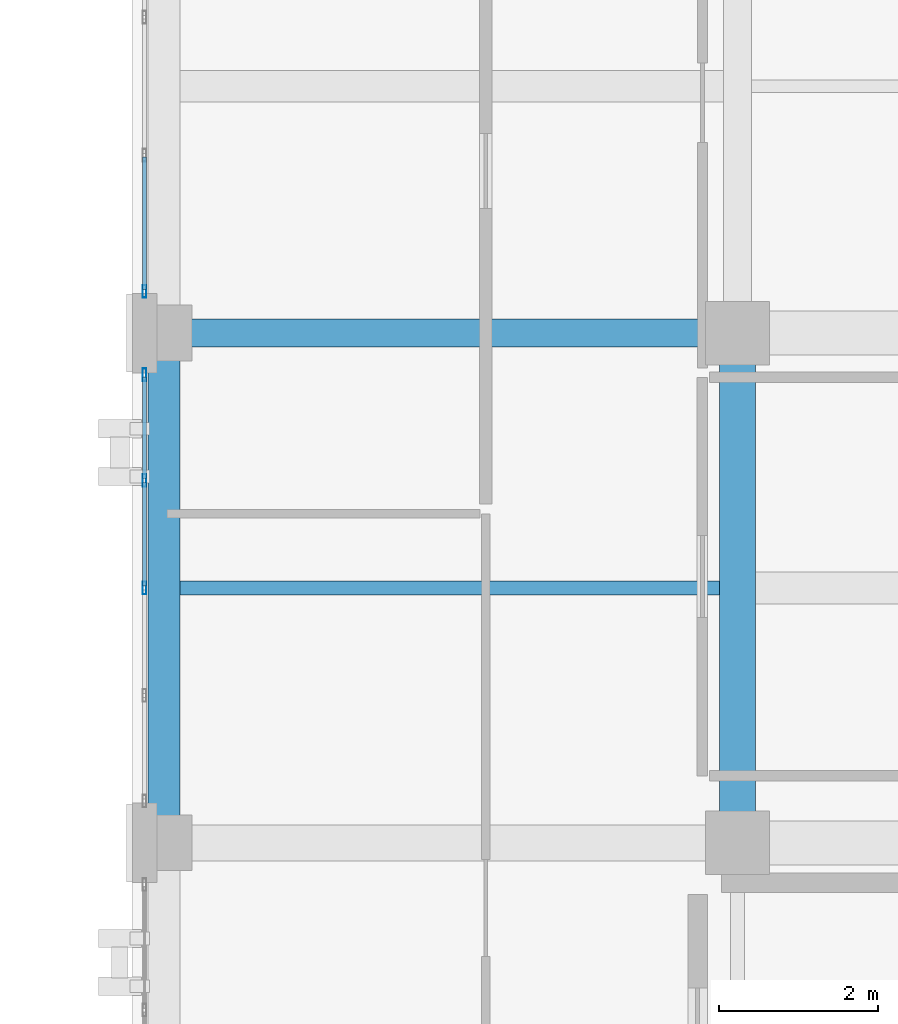
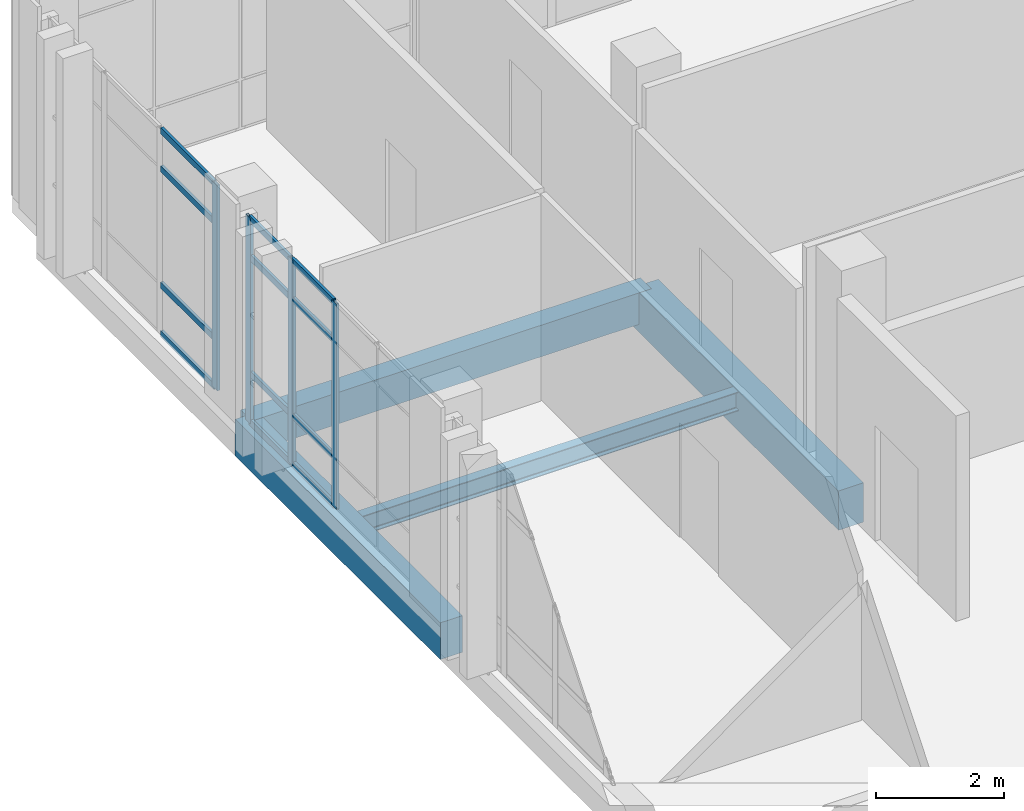
# One storey, part 101 of 193: 16 members, 4 beams, 2 elements without a shape of their own.
"""IFC4 building model written with IfcOpenShell, lengths in metres."""

from ifc_helpers import new_model, si_unit, direction, frame, origin, origin_2d, place, context, subcontext, project, spatial, rectangle, hollow_rectangle, i_section, extrude, material, layer, layer_set, material_profile, profile_set, type_object, element, aggregate, save


model = new_model("IFC4")

# Units and contexts
model_context = context("Model", 3, precision=1e-05, world=origin(), true_north=direction((0.0, 1.0)))
body_context = subcontext(model_context, "Body", "Model", "MODEL_VIEW")
ifc_project = project(units=[si_unit("LENGTHUNIT", "METRE"), si_unit("AREAUNIT", "SQUARE_METRE"), si_unit("VOLUMEUNIT", "CUBIC_METRE"), si_unit("PLANEANGLEUNIT", "RADIAN"), si_unit("MASSUNIT", "GRAM", prefix="KILO")], contexts=[model_context])

# Site, building, storey
site_placement = place(None, origin())
site = spatial("IfcSite", under=ifc_project, at=site_placement, CompositionType="ELEMENT")
building_placement = place(site_placement, origin())
building = spatial("IfcBuilding", under=site, at=building_placement, Name="Qalavern Law Courts", CompositionType="ELEMENT")
storey_placement = place(building_placement, frame((0.0, 0.0, 10.199951171875)))
storey = spatial("IfcBuildingStorey", under=building, at=storey_placement, Name="L02", CompositionType="ELEMENT", Elevation=10.199951171875)

# Curtain wall, member
ifc_material_1 = material(Name="Anodised aluminium and insulated glazing", Category="aluminium")
ifc_layer = layer(ifc_material_1, 0.172119140625)
ifc_layer_set = layer_set([ifc_layer], Name="Anodised aluminium and insulated glazing")
curtain_wall_type = type_object("IfcCurtainWallType", Name="ENV-CW-COURT", PredefinedType="USERDEFINED", material=ifc_layer_set)
curtain_wall_1_placement = place(storey_placement, origin())
curtain_wall_1 = element("IfcCurtainWall", 1, at=curtain_wall_1_placement, inside=storey, type_object=curtain_wall_type, Name="V4 unitised curtain wall L02 west 1", ObjectType="UNITISED CURTAIN WALL", PredefinedType="USERDEFINED")
ifc_material_2 = material(Name="Anodised aluminium", Category="aluminium")
ifc_material_profile_1 = material_profile(ifc_material_2, hollow_rectangle(XDim=0.048095703125, YDim=0.159912109375, WallThickness=0.00390625, at=origin_2d()), Name="ALU MULLION 48x160")
ifc_profile_set_1 = profile_set([ifc_material_profile_1], Name="Anodised aluminium")
member_type_1 = type_object("IfcMemberType", Name="ENV-CWM-48x160", PredefinedType="MULLION", material=ifc_profile_set_1)
member_1_placement = place(storey_placement, frame((84.35498046875, 79.72412109375, 0.0), z_axis=(0.0, 0.0, 1.0), x_axis=(1.0, 0.0, 0.0)))
member_1 = element("IfcMember", 2, at=member_1_placement, type_object=member_type_1, Name="CW-03 mullion 4", PredefinedType="MULLION", context=body_context, shape_type="SweptSolid", body=[
    extrude(hollow_rectangle(XDim=0.048095703125, YDim=0.159912109375, WallThickness=0.00390625, at=origin_2d()), origin(), (0.0, 0.0, 1.0), 3.9150390625),
])

# Curtain wall, members
curtain_wall_2_placement = place(storey_placement, origin())
curtain_wall_2 = element("IfcCurtainWall", 3, at=curtain_wall_2_placement, inside=storey, type_object=curtain_wall_type, Name="V4 unitised curtain wall L02 west 2", ObjectType="UNITISED CURTAIN WALL", PredefinedType="USERDEFINED")
member_2_placement = place(storey_placement, frame((84.35498046875, 78.676025390625, 0.0), z_axis=(0.0, 0.0, 1.0), x_axis=(1.0, 0.0, 0.0)))
member_2 = element("IfcMember", 4, at=member_2_placement, type_object=member_type_1, Name="CW-03 mullion 1", PredefinedType="MULLION", context=body_context, shape_type="SweptSolid", body=[
    extrude(hollow_rectangle(XDim=0.048095703125, YDim=0.159912109375, WallThickness=0.00390625, at=origin_2d()), origin(), (0.0, 0.0, 1.0), 3.9150390625),
])
member_3_placement = place(storey_placement, frame((84.35498046875, 77.35009765625, 0.0), z_axis=(0.0, 0.0, 1.0), x_axis=(1.0, 0.0, 0.0)))
member_3 = element("IfcMember", 5, at=member_3_placement, type_object=member_type_1, Name="CW-03 mullion 2", PredefinedType="MULLION", context=body_context, shape_type="SweptSolid", body=[
    extrude(hollow_rectangle(XDim=0.048095703125, YDim=0.159912109375, WallThickness=0.00390625, at=origin_2d()), origin(), (0.0, 0.0, 1.0), 3.9150390625),
])
member_4_placement = place(storey_placement, frame((84.35498046875, 76.0, 0.0), z_axis=(0.0, 0.0, 1.0), x_axis=(1.0, 0.0, 0.0)))
member_4 = element("IfcMember", 6, at=member_4_placement, type_object=member_type_1, Name="CW-03 mullion 3", PredefinedType="MULLION", context=body_context, shape_type="SweptSolid", body=[
    extrude(hollow_rectangle(XDim=0.048095703125, YDim=0.159912109375, WallThickness=0.00390625, at=origin_2d()), origin(), (0.0, 0.0, 1.0), 3.9150390625),
])

# Member
ifc_material_profile_2 = material_profile(ifc_material_2, hollow_rectangle(XDim=0.048095703125, YDim=0.1201171875, WallThickness=0.00390625, at=origin_2d()), Name="ALU TRANSOM 48x120")
ifc_profile_set_2 = profile_set([ifc_material_profile_2], Name="Anodised aluminium")
member_type_2 = type_object("IfcMemberType", Name="ENV-CWT-48x120", PredefinedType="USERDEFINED", material=ifc_profile_set_2)
member_5_placement = place(storey_placement, frame((84.35498046875, 81.409423828125, 0.024169921875), z_axis=(0.0, -1.0, 0.0), x_axis=(1.0, 0.0, 0.0)))
member_5 = element("IfcMember", 7, at=member_5_placement, type_object=member_type_2, Name="CW-03 transom 3.1", ObjectType="TRANSOM", PredefinedType="USERDEFINED", context=body_context, shape_type="SweptSolid", body=[
    extrude(hollow_rectangle(XDim=0.048095703125, YDim=0.1201171875, WallThickness=0.00390625, at=origin_2d()), origin(), (0.0, 0.0, 1.0), 1.661376953125),
])

member_6_placement = place(storey_placement, frame((84.35498046875, 81.409423828125, 0.949951171875), z_axis=(0.0, -1.0, 0.0), x_axis=(1.0, 0.0, 0.0)))
member_6 = element("IfcMember", 8, at=member_6_placement, type_object=member_type_2, Name="CW-03 transom 3.2", ObjectType="TRANSOM", PredefinedType="USERDEFINED", context=body_context, shape_type="SweptSolid", body=[
    extrude(hollow_rectangle(XDim=0.048095703125, YDim=0.1201171875, WallThickness=0.00390625, at=origin_2d()), origin(), (0.0, 0.0, 1.0), 1.661376953125),
])

member_7_placement = place(storey_placement, frame((84.35498046875, 81.409423828125, 3.1650390625), z_axis=(0.0, -1.0, 0.0), x_axis=(1.0, 0.0, 0.0)))
member_7 = element("IfcMember", 9, at=member_7_placement, type_object=member_type_2, Name="CW-03 transom 3.3", ObjectType="TRANSOM", PredefinedType="USERDEFINED", context=body_context, shape_type="SweptSolid", body=[
    extrude(hollow_rectangle(XDim=0.048095703125, YDim=0.1201171875, WallThickness=0.00390625, at=origin_2d()), origin(), (0.0, 0.0, 1.0), 1.661376953125),
])

member_8_placement = place(storey_placement, frame((84.35498046875, 81.409423828125, 3.89111328125), z_axis=(0.0, -1.0, 0.0), x_axis=(1.0, 0.0, 0.0)))
member_8 = element("IfcMember", 10, at=member_8_placement, type_object=member_type_2, Name="CW-03 transom 3.4", ObjectType="TRANSOM", PredefinedType="USERDEFINED", context=body_context, shape_type="SweptSolid", body=[
    extrude(hollow_rectangle(XDim=0.048095703125, YDim=0.1201171875, WallThickness=0.00390625, at=origin_2d()), origin(), (0.0, 0.0, 1.0), 1.661376953125),
])

aggregate(curtain_wall_1, [member_1, member_5, member_6, member_7, member_8])

member_9_placement = place(storey_placement, frame((84.35498046875, 78.652099609375, 0.024169921875), z_axis=(0.0, -1.0, 0.0), x_axis=(1.0, 0.0, 0.0)))
member_9 = element("IfcMember", 11, at=member_9_placement, type_object=member_type_2, Name="CW-03 transom 1.1", ObjectType="TRANSOM", PredefinedType="USERDEFINED", context=body_context, shape_type="SweptSolid", body=[
    extrude(hollow_rectangle(XDim=0.048095703125, YDim=0.1201171875, WallThickness=0.00390625, at=origin_2d()), origin(), (0.0, 0.0, 1.0), 1.278076171875),
])

member_10_placement = place(storey_placement, frame((84.35498046875, 78.652099609375, 0.949951171875), z_axis=(0.0, -1.0, 0.0), x_axis=(1.0, 0.0, 0.0)))
member_10 = element("IfcMember", 12, at=member_10_placement, type_object=member_type_2, Name="CW-03 transom 1.2", ObjectType="TRANSOM", PredefinedType="USERDEFINED", context=body_context, shape_type="SweptSolid", body=[
    extrude(hollow_rectangle(XDim=0.048095703125, YDim=0.1201171875, WallThickness=0.00390625, at=origin_2d()), origin(), (0.0, 0.0, 1.0), 1.278076171875),
])

member_11_placement = place(storey_placement, frame((84.35498046875, 78.652099609375, 3.1650390625), z_axis=(0.0, -1.0, 0.0), x_axis=(1.0, 0.0, 0.0)))
member_11 = element("IfcMember", 13, at=member_11_placement, type_object=member_type_2, Name="CW-03 transom 1.3", ObjectType="TRANSOM", PredefinedType="USERDEFINED", context=body_context, shape_type="SweptSolid", body=[
    extrude(hollow_rectangle(XDim=0.048095703125, YDim=0.1201171875, WallThickness=0.00390625, at=origin_2d()), origin(), (0.0, 0.0, 1.0), 1.278076171875),
])

member_12_placement = place(storey_placement, frame((84.35498046875, 78.652099609375, 3.89111328125), z_axis=(0.0, -1.0, 0.0), x_axis=(1.0, 0.0, 0.0)))
member_12 = element("IfcMember", 14, at=member_12_placement, type_object=member_type_2, Name="CW-03 transom 1.4", ObjectType="TRANSOM", PredefinedType="USERDEFINED", context=body_context, shape_type="SweptSolid", body=[
    extrude(hollow_rectangle(XDim=0.048095703125, YDim=0.1201171875, WallThickness=0.00390625, at=origin_2d()), origin(), (0.0, 0.0, 1.0), 1.278076171875),
])

member_13_placement = place(storey_placement, frame((84.35498046875, 77.325927734375, 0.024169921875), z_axis=(0.0, -1.0, 0.0), x_axis=(1.0, 0.0, 0.0)))
member_13 = element("IfcMember", 15, at=member_13_placement, type_object=member_type_2, Name="CW-03 transom 2.1", ObjectType="TRANSOM", PredefinedType="USERDEFINED", context=body_context, shape_type="SweptSolid", body=[
    extrude(hollow_rectangle(XDim=0.048095703125, YDim=0.1201171875, WallThickness=0.00390625, at=origin_2d()), origin(), (0.0, 0.0, 1.0), 1.302001953125),
])

member_14_placement = place(storey_placement, frame((84.35498046875, 77.325927734375, 0.949951171875), z_axis=(0.0, -1.0, 0.0), x_axis=(1.0, 0.0, 0.0)))
member_14 = element("IfcMember", 16, at=member_14_placement, type_object=member_type_2, Name="CW-03 transom 2.2", ObjectType="TRANSOM", PredefinedType="USERDEFINED", context=body_context, shape_type="SweptSolid", body=[
    extrude(hollow_rectangle(XDim=0.048095703125, YDim=0.1201171875, WallThickness=0.00390625, at=origin_2d()), origin(), (0.0, 0.0, 1.0), 1.302001953125),
])

member_15_placement = place(storey_placement, frame((84.35498046875, 77.325927734375, 3.1650390625), z_axis=(0.0, -1.0, 0.0), x_axis=(1.0, 0.0, 0.0)))
member_15 = element("IfcMember", 17, at=member_15_placement, type_object=member_type_2, Name="CW-03 transom 2.3", ObjectType="TRANSOM", PredefinedType="USERDEFINED", context=body_context, shape_type="SweptSolid", body=[
    extrude(hollow_rectangle(XDim=0.048095703125, YDim=0.1201171875, WallThickness=0.00390625, at=origin_2d()), origin(), (0.0, 0.0, 1.0), 1.302001953125),
])

member_16_placement = place(storey_placement, frame((84.35498046875, 77.325927734375, 3.89111328125), z_axis=(0.0, -1.0, 0.0), x_axis=(1.0, 0.0, 0.0)))
member_16 = element("IfcMember", 18, at=member_16_placement, type_object=member_type_2, Name="CW-03 transom 2.4", ObjectType="TRANSOM", PredefinedType="USERDEFINED", context=body_context, shape_type="SweptSolid", body=[
    extrude(hollow_rectangle(XDim=0.048095703125, YDim=0.1201171875, WallThickness=0.00390625, at=origin_2d()), origin(), (0.0, 0.0, 1.0), 1.302001953125),
])

aggregate(curtain_wall_2, [member_2, member_3, member_4, member_9, member_10, member_11, member_12, member_13, member_14, member_15, member_16])

# Beams
ifc_material_3 = material(Name="Concrete C35/45", Category="concrete")
ifc_material_profile_3 = material_profile(ifc_material_3, rectangle(XDim=0.35009765625, YDim=0.60009765625, at=origin_2d()), Name="RC 350x600")
ifc_profile_set_3 = profile_set([ifc_material_profile_3], Name="Concrete C35/45")
beam_type_1 = type_object("IfcBeamType", Name="STR-BM-RC350x600", PredefinedType="BEAM", material=ifc_profile_set_3)
beam_1_placement = place(storey_placement, frame((84.60009765625, 79.199951171875, -0.58984375), z_axis=(1.0, 0.0, 0.0), x_axis=(0.0, 1.0, 0.0)))
element("IfcBeam", 19, at=beam_1_placement, inside=storey, type_object=beam_type_1, Name="V4 X-beam 6-1 L02", PredefinedType="BEAM", context=body_context, shape_type="SweptSolid", body=[
    extrude(rectangle(XDim=0.35009765625, YDim=0.60009765625, at=origin_2d()), origin(), (0.0, 0.0, 1.0), 7.199951171875),
])
ifc_material_4 = material(Name="Concrete C40/50", Category="concrete")
ifc_material_profile_4 = material_profile(ifc_material_4, rectangle(XDim=0.449951171875, YDim=0.75, at=origin_2d()), Name="RC 450x750")
ifc_profile_set_4 = profile_set([ifc_material_profile_4], Name="Concrete C40/50")
beam_type_2 = type_object("IfcBeamType", Name="STR-BM-RC450x750", PredefinedType="BEAM", material=ifc_profile_set_4)
beam_2_placement = place(storey_placement, frame((91.800048828125, 72.800048828125, -0.6650390625), z_axis=(0.0, 1.0, 0.0), x_axis=(-1.0, 0.0, 0.0)))
element("IfcBeam", 20, at=beam_2_placement, inside=storey, type_object=beam_type_2, Name="V4 Y-beam 2-4 L02", PredefinedType="BEAM", context=body_context, shape_type="SweptSolid", body=[
    extrude(rectangle(XDim=0.449951171875, YDim=0.75, at=origin_2d()), origin(), (0.0, 0.0, 1.0), 6.39990234375),
])
ifc_material_5 = material(Name="Steel S355", Category="steel")
ifc_material_profile_5 = material_profile(ifc_material_5, i_section(OverallWidth=0.169921875, OverallDepth=0.360107421875, WebThickness=0.008056640625, FlangeThickness=0.0126953125, FilletRadius=0.01806640625, at=origin_2d()), Name="IPE 360")
ifc_profile_set_5 = profile_set([ifc_material_profile_5], Name="Steel S355")
beam_type_3 = type_object("IfcBeamType", Name="STR-JST-IPE360", PredefinedType="JOIST", material=ifc_profile_set_5)
beam_3_placement = place(storey_placement, frame((84.798095703125, 76.0, -0.469970703125), z_axis=(1.0, 0.0, 0.0), x_axis=(0.0, 1.0, 0.0)))
element("IfcBeam", 21, at=beam_3_placement, inside=storey, type_object=beam_type_3, Name="V4 secondary joist 1.5.1 L02", PredefinedType="JOIST", context=body_context, shape_type="SweptSolid", body=[
    extrude(i_section(OverallWidth=0.169921875, OverallDepth=0.360107421875, WebThickness=0.008056640625, FlangeThickness=0.0126953125, FilletRadius=0.01806640625, at=origin_2d()), origin(), (0.0, 0.0, 1.0), 6.77880859375),
])
ifc_material_profile_6 = material_profile(ifc_material_4, rectangle(XDim=0.39990234375, YDim=0.699951171875, at=origin_2d()), Name="RC 400x700")
ifc_profile_set_6 = profile_set([ifc_material_profile_6], Name="Concrete C40/50")
beam_type_4 = type_object("IfcBeamType", Name="STR-SP-RC400x700", PredefinedType="SPANDREL", material=ifc_profile_set_6)
beam_4_placement = place(storey_placement, frame((84.60009765625, 72.800048828125, -0.639892578125), z_axis=(0.0, 1.0, 0.0), x_axis=(-1.0, 0.0, 0.0)))
element("IfcBeam", 22, at=beam_4_placement, inside=storey, type_object=beam_type_4, Name="V4 Y-beam 1-5 L02", PredefinedType="SPANDREL", context=body_context, shape_type="SweptSolid", body=[
    extrude(rectangle(XDim=0.39990234375, YDim=0.699951171875, at=origin_2d()), origin(), (0.0, 0.0, 1.0), 6.39990234375),
])

save(model, "model.ifc")
